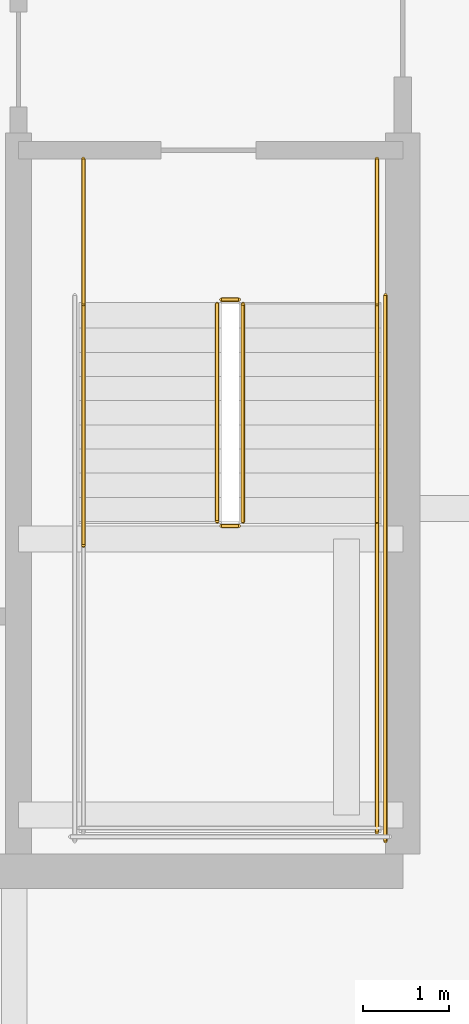
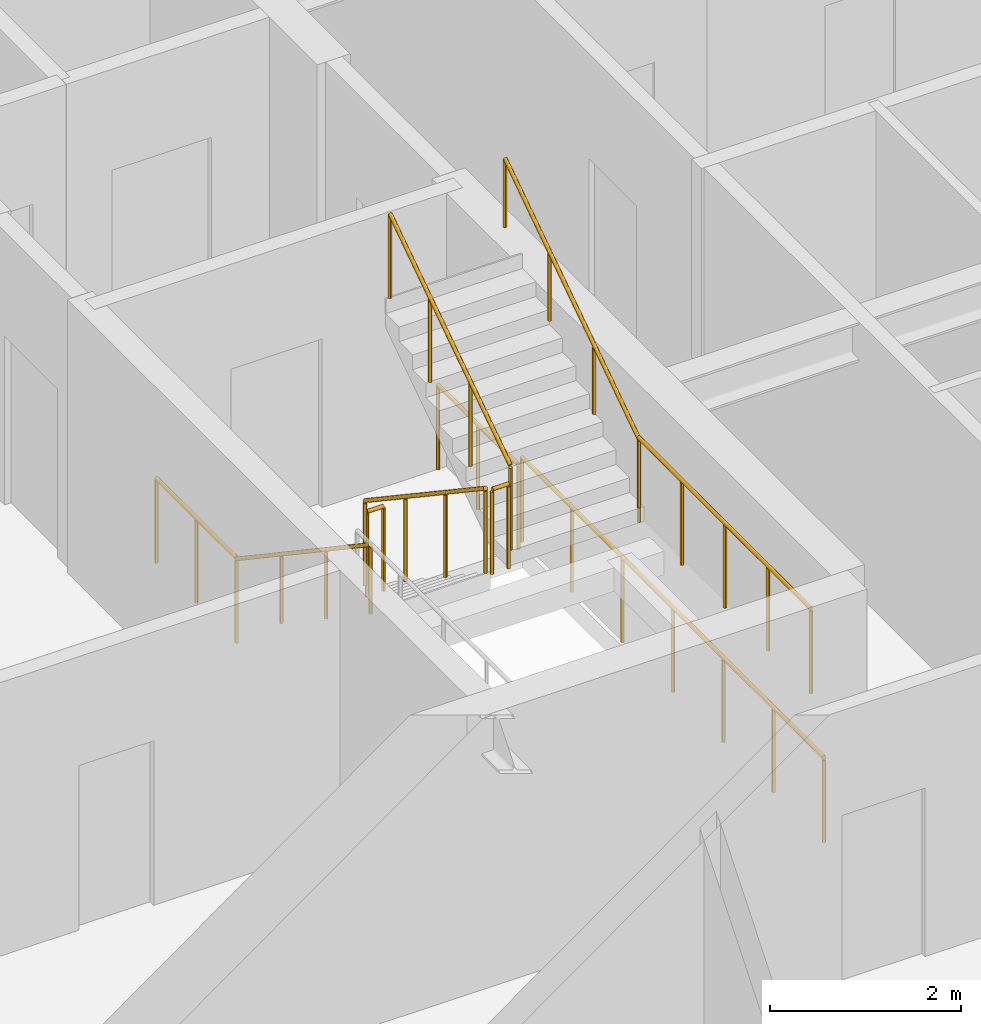
# One storey, part 37 of 39: 10 railings.
"""IFC4 building model written with IfcOpenShell, lengths in metres."""

from ifc_helpers import new_model, si_unit, direction, frame, origin, origin_2d, place, context, subcontext, project, spatial, circle, extrude, material, type_object, element, save


model = new_model("IFC4")

# Units and contexts
model_context = context("Model", 3, precision=1e-05, world=origin(), true_north=direction((0.0, 1.0)))
body_context = subcontext(model_context, "Body", "Model", "MODEL_VIEW")
ifc_project = project(units=[si_unit("LENGTHUNIT", "METRE"), si_unit("AREAUNIT", "SQUARE_METRE"), si_unit("VOLUMEUNIT", "CUBIC_METRE"), si_unit("PLANEANGLEUNIT", "RADIAN"), si_unit("MASSUNIT", "GRAM", prefix="KILO")], contexts=[model_context])

# Site, building, storey
site_placement = place(None, origin())
site = spatial("IfcSite", under=ifc_project, at=site_placement, CompositionType="ELEMENT")
building_placement = place(site_placement, origin())
building = spatial("IfcBuilding", under=site, at=building_placement, Name="Serunith Strait Residences", CompositionType="ELEMENT")
storey_placement = place(building_placement, frame((0.0, 0.0, 123.89990234375)))
storey = spatial("IfcBuildingStorey", under=building, at=storey_placement, Name="L30", CompositionType="ELEMENT", Elevation=123.89990234375)

# Railings
ifc_material = material(Name="Brushed stainless steel 316L", Category="steel")
railing_type_1 = type_object("IfcRailingType", Name="RLG-STAIR-GUARD", PredefinedType="BALUSTRADE", material=ifc_material)
railing_1_placement = place(storey_placement, frame((39.25, 23.3701171875, 0.1875)))
element("IfcRailing", 1, at=railing_1_placement, inside=storey, type_object=railing_type_1, Name="L30 ST-2 stair guard 1", PredefinedType="BALUSTRADE", context=body_context, shape_type="SweptSolid", body=[
    extrude(circle(Radius=0.02392578125, at=origin_2d()), frame((0.0, -0.001708984375, 1.0771484375), z_axis=(0.0, -0.830909170722, 0.55640807867), x_axis=(1.0, 0.0, 0.0)), (0.0, 0.0, 1.0), 3.02880859375),
    extrude(circle(Radius=0.02099609375, at=origin_2d()), origin(), (0.0, 0.0, 1.0), 1.050048828125),
    extrude(circle(Radius=0.02099609375, at=origin_2d()), frame((0.0, -0.840087890625, 0.5625)), (0.0, 0.0, 1.0), 1.050048828125),
    extrude(circle(Radius=0.02099609375, at=origin_2d()), frame((0.0, -1.679931640625, 1.125)), (0.0, 0.0, 1.0), 1.050048828125),
    extrude(circle(Radius=0.02099609375, at=origin_2d()), frame((0.0, -2.52001953125, 1.6875)), (0.0, 0.0, 1.0), 1.050048828125),
])
railing_2_placement = place(storey_placement, frame((39.300048828125, 20.800048828125, 1.875)))
element("IfcRailing", 2, at=railing_2_placement, inside=storey, type_object=railing_type_1, Name="L30 ST-2 stair guard 2", PredefinedType="BALUSTRADE", context=body_context, shape_type="SweptSolid", body=[
    extrude(circle(Radius=0.02392578125, at=origin_2d()), frame((0.001953125, 0.0, 1.076171875), z_axis=(1.0, 0.0, 0.0), x_axis=(0.0, 1.0, 0.0)), (0.0, 0.0, 1.0), 0.196044921875),
    extrude(circle(Radius=0.02099609375, at=origin_2d()), origin(), (0.0, 0.0, 1.0), 1.050048828125),
    extrude(circle(Radius=0.02099609375, at=origin_2d()), frame((0.199951171875, 0.0, 0.0)), (0.0, 0.0, 1.0), 1.050048828125),
])
railing_3_placement = place(storey_placement, frame((41.10009765625, 20.85009765625, 1.875)))
element("IfcRailing", 3, at=railing_3_placement, inside=storey, type_object=railing_type_1, Name="L30 ST-2 stair guard 4", PredefinedType="BALUSTRADE", context=body_context, shape_type="SweptSolid", body=[
    extrude(circle(Radius=0.02392578125, at=origin_2d()), frame((0.0, -0.001953125, 1.076171875), z_axis=(0.0, -1.0, 0.0), x_axis=(1.0, 0.0, 0.0)), (0.0, 0.0, 1.0), 3.59619140625),
    extrude(circle(Radius=0.02099609375, at=origin_2d()), origin(), (0.0, 0.0, 1.0), 1.050048828125),
    extrude(circle(Radius=0.02099609375, at=origin_2d()), frame((0.0, -0.89990234375, 0.0)), (0.0, 0.0, 1.0), 1.050048828125),
    extrude(circle(Radius=0.02099609375, at=origin_2d()), frame((0.0, -1.800048828125, 0.0)), (0.0, 0.0, 1.0), 1.050048828125),
    extrude(circle(Radius=0.02099609375, at=origin_2d()), frame((0.0, -2.7001953125, 0.0)), (0.0, 0.0, 1.0), 1.050048828125),
    extrude(circle(Radius=0.02099609375, at=origin_2d()), frame((0.0, -3.60009765625, 0.0)), (0.0, 0.0, 1.0), 1.050048828125),
])
railing_4_placement = place(storey_placement, frame((39.550048828125, 20.85009765625, 2.0625)))
element("IfcRailing", 4, at=railing_4_placement, inside=storey, type_object=railing_type_1, Name="L30 ST-2 stair guard 6", PredefinedType="BALUSTRADE", context=body_context, shape_type="SweptSolid", body=[
    extrude(circle(Radius=0.02392578125, at=origin_2d()), frame((0.0, 0.001708984375, 1.0771484375), z_axis=(0.0, 0.830909170722, 0.55640807867), x_axis=(-1.0, 0.0, 0.0)), (0.0, 0.0, 1.0), 3.02880859375),
    extrude(circle(Radius=0.02099609375, at=origin_2d()), origin(), (0.0, 0.0, 1.0), 1.050048828125),
    extrude(circle(Radius=0.02099609375, at=origin_2d()), frame((0.0, 0.840087890625, 0.5625)), (0.0, 0.0, 1.0), 1.050048828125),
    extrude(circle(Radius=0.02099609375, at=origin_2d()), frame((0.0, 1.679931640625, 1.125)), (0.0, 0.0, 1.0), 1.050048828125),
    extrude(circle(Radius=0.02099609375, at=origin_2d()), frame((0.0, 2.52001953125, 1.6875)), (0.0, 0.0, 1.0), 1.050048828125),
])
railing_5_placement = place(storey_placement, frame((39.300048828125, 23.419921875, 0.0)))
element("IfcRailing", 5, at=railing_5_placement, inside=storey, type_object=railing_type_1, Name="L30 ST-2 stair guard 7", PredefinedType="BALUSTRADE", context=body_context, shape_type="SweptSolid", body=[
    extrude(circle(Radius=0.02392578125, at=origin_2d()), frame((0.001953125, 0.0, 1.076171875), z_axis=(1.0, 0.0, 0.0), x_axis=(0.0, 1.0, 0.0)), (0.0, 0.0, 1.0), 0.196044921875),
    extrude(circle(Radius=0.02099609375, at=origin_2d()), origin(), (0.0, 0.0, 1.0), 1.050048828125),
    extrude(circle(Radius=0.02099609375, at=origin_2d()), frame((0.199951171875, 0.0, 0.0)), (0.0, 0.0, 1.0), 1.050048828125),
])
for number, where, name in (
    (6, (37.699951171875, 25.050048828125, 0.0), "L30 ST-2 stair guard 8"),
    (7, (41.10009765625, 25.050048828125, 0.0), "L30 ST-2 stair guard 9"),
):
    element("IfcRailing", number, at=place(storey_placement, frame(where)), inside=storey, type_object=railing_type_1, Name=name, PredefinedType="BALUSTRADE", context=body_context, shape_type="SweptSolid", body=[
        extrude(circle(Radius=0.02392578125, at=origin_2d()), frame((0.0, -0.001953125, 1.076171875), z_axis=(0.0, -1.0, 0.0), x_axis=(1.0, 0.0, 0.0)), (0.0, 0.0, 1.0), 1.676025390625),
        extrude(circle(Radius=0.02099609375, at=origin_2d()), origin(), (0.0, 0.0, 1.0), 1.050048828125),
        extrude(circle(Radius=0.02099609375, at=origin_2d()), frame((0.0, -0.83984375, 0.0)), (0.0, 0.0, 1.0), 1.050048828125),
        extrude(circle(Radius=0.02099609375, at=origin_2d()), frame((0.0, -1.679931640625, 0.0)), (0.0, 0.0, 1.0), 1.050048828125),
    ])
railing_6_placement = place(storey_placement, frame((41.199951171875, 23.469970703125, 0.0)))
element("IfcRailing", 8, at=railing_6_placement, inside=storey, type_object=railing_type_1, Name="L30 ST-2 stair guard 11", PredefinedType="BALUSTRADE", context=body_context, shape_type="SweptSolid", body=[
    extrude(circle(Radius=0.02392578125, at=origin_2d()), frame((0.0, -0.001953125, 1.076171875), z_axis=(0.0, -1.0, 0.0), x_axis=(1.0, 0.0, 0.0)), (0.0, 0.0, 1.0), 6.316162109375),
    extrude(circle(Radius=0.02099609375, at=origin_2d()), origin(), (0.0, 0.0, 1.0), 1.050048828125),
    extrude(circle(Radius=0.02099609375, at=origin_2d()), frame((0.0, -1.05322265625, 0.0)), (0.0, 0.0, 1.0), 1.050048828125),
    extrude(circle(Radius=0.02099609375, at=origin_2d()), frame((0.0, -2.106689453125, 0.0)), (0.0, 0.0, 1.0), 1.050048828125),
    extrude(circle(Radius=0.02099609375, at=origin_2d()), frame((0.0, -3.16015625, 0.0)), (0.0, 0.0, 1.0), 1.050048828125),
    extrude(circle(Radius=0.02099609375, at=origin_2d()), frame((0.0, -4.21337890625, 0.0)), (0.0, 0.0, 1.0), 1.050048828125),
    extrude(circle(Radius=0.02099609375, at=origin_2d()), frame((0.0, -5.2666015625, 0.0)), (0.0, 0.0, 1.0), 1.050048828125),
    extrude(circle(Radius=0.02099609375, at=origin_2d()), frame((0.0, -6.320068359375, 0.0)), (0.0, 0.0, 1.0), 1.050048828125),
])
railing_type_2 = type_object("IfcRailingType", Name="RLG-STAIR-HR", PredefinedType="HANDRAIL", material=ifc_material)
railing_7_placement = place(storey_placement, frame((37.699951171875, 23.3701171875, 0.1875)))
element("IfcRailing", 9, at=railing_7_placement, inside=storey, type_object=railing_type_2, Name="L30 ST-2 stair handrail 1", PredefinedType="HANDRAIL", context=body_context, shape_type="SweptSolid", body=[
    extrude(circle(Radius=0.02392578125, at=origin_2d()), frame((0.0, -0.001708984375, 0.876953125), z_axis=(0.0, -0.830208209119, 0.557453432594), x_axis=(1.0, 0.0, 0.0)), (0.0, 0.0, 1.0), 3.36865234375),
    extrude(circle(Radius=0.02099609375, at=origin_2d()), origin(), (0.0, 0.0, 1.0), 0.849853515625),
    extrude(circle(Radius=0.02099609375, at=origin_2d()), frame((0.0, -0.933349609375, 0.626708984375)), (0.0, 0.0, 1.0), 0.849853515625),
    extrude(circle(Radius=0.02099609375, at=origin_2d()), frame((0.0, -1.86669921875, 1.25341796875)), (0.0, 0.0, 1.0), 0.849853515625),
    extrude(circle(Radius=0.02099609375, at=origin_2d()), frame((0.0, -2.800048828125, 1.880126953125)), (0.0, 0.0, 1.0), 0.849853515625),
])
railing_8_placement = place(storey_placement, frame((41.10009765625, 20.85009765625, 2.0625)))
element("IfcRailing", 10, at=railing_8_placement, inside=storey, type_object=railing_type_2, Name="L30 ST-2 stair handrail 2", PredefinedType="HANDRAIL", context=body_context, shape_type="SweptSolid", body=[
    extrude(circle(Radius=0.02392578125, at=origin_2d()), frame((0.0, 0.001708984375, 0.876953125), z_axis=(0.0, 0.830185712471, 0.557486935101), x_axis=(-1.0, 0.0, 0.0)), (0.0, 0.0, 1.0), 3.368408203125),
    extrude(circle(Radius=0.02099609375, at=origin_2d()), origin(), (0.0, 0.0, 1.0), 0.849853515625),
    extrude(circle(Radius=0.02099609375, at=origin_2d()), frame((0.0, 0.933349609375, 0.626708984375)), (0.0, 0.0, 1.0), 0.849853515625),
    extrude(circle(Radius=0.02099609375, at=origin_2d()), frame((0.0, 1.866455078125, 1.25341796875)), (0.0, 0.0, 1.0), 0.849853515625),
    extrude(circle(Radius=0.02099609375, at=origin_2d()), frame((0.0, 2.7998046875, 1.880126953125)), (0.0, 0.0, 1.0), 0.849853515625),
])

save(model, "model.ifc")
